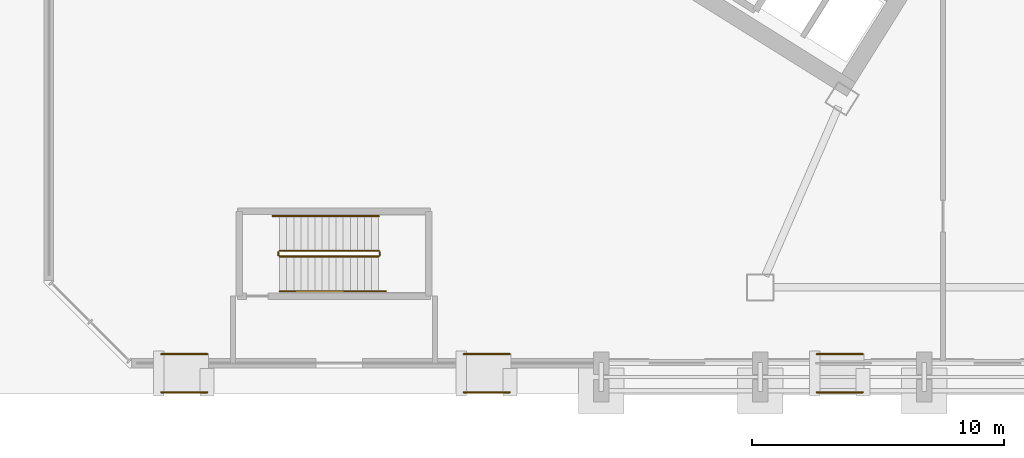
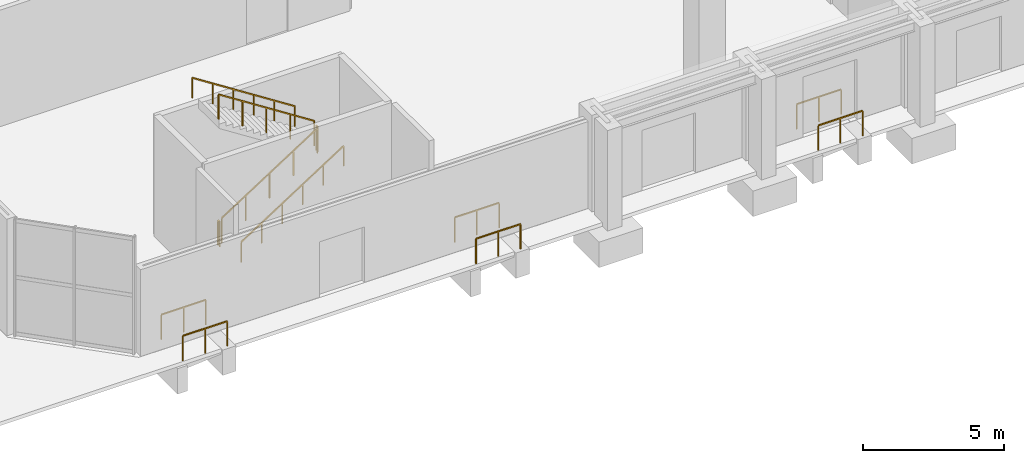
# One storey, part 15 of 22: 12 railings.
"""IFC4 building model written with IfcOpenShell, lengths in metres."""

from ifc_helpers import new_model, si_unit, direction, frame, origin, origin_2d, place, context, subcontext, project, spatial, rectangle, extrude, source, transform, mapped, material, type_object, element, save


model = new_model("IFC4")

# Units and contexts
model_context = context("Model", 3, precision=1e-05, world=origin(), true_north=direction((0.0, 1.0)))
body_context = subcontext(model_context, "Body", "Model", "MODEL_VIEW")
ifc_project = project(units=[si_unit("LENGTHUNIT", "METRE"), si_unit("AREAUNIT", "SQUARE_METRE"), si_unit("VOLUMEUNIT", "CUBIC_METRE"), si_unit("PLANEANGLEUNIT", "RADIAN"), si_unit("MASSUNIT", "GRAM", prefix="KILO")], contexts=[model_context])

# Site, building, storey
site_placement = place(None, origin())
site = spatial("IfcSite", under=ifc_project, at=site_placement, CompositionType="ELEMENT")
building_placement = place(site_placement, origin())
building = spatial("IfcBuilding", under=site, at=building_placement, Name="Tlacorven Tower", CompositionType="ELEMENT")
storey_placement = place(building_placement, origin())
storey = spatial("IfcBuildingStorey", under=building, at=storey_placement, Name="L00", CompositionType="ELEMENT", Elevation=0.0)

# Railings
ifc_material = material(Name="Aluminium and painted steel balustrade", Category="steel")
railing_type_1 = type_object("IfcRailingType", Name="RL-GRD-1100", PredefinedType="GUARDRAIL", material=ifc_material)
shared_shape_1 = source(origin(), body_context, "Body", "SweptSolid", [
    extrude(rectangle(XDim=0.048095703125, YDim=0.048095703125, at=origin_2d()), frame((0.0, 0.0, 1.076171875), z_axis=(1.0, 0.0, 0.0), x_axis=(0.0, 1.0, 0.0)), (0.0, 0.0, 1.0), 1.820068359375),
    extrude(rectangle(XDim=0.0419921875, YDim=0.0419921875, at=origin_2d()), origin(), (0.0, 0.0, 1.0), 1.052001953125),
    extrude(rectangle(XDim=0.0419921875, YDim=0.0419921875, at=origin_2d()), frame((0.91015625, 0.0, 0.0)), (0.0, 0.0, 1.0), 1.052001953125),
    extrude(rectangle(XDim=0.0419921875, YDim=0.0419921875, at=origin_2d()), frame((1.820068359375, 0.0, 0.0)), (0.0, 0.0, 1.0), 1.052001953125),
])
for number, where, name in (
    (1, (6.050048828125, 0.43994140625, 0.0), "L00 Accessible Ramp Guardrail 1 1"),
    (2, (6.050048828125, 1.9599609375, 0.0), "L00 Accessible Ramp Guardrail 1 2"),
    (3, (18.050048828125, 0.43994140625, 0.0), "L00 Accessible Ramp Guardrail 2 1"),
    (4, (18.050048828125, 1.9599609375, 0.0), "L00 Accessible Ramp Guardrail 2 2"),
    (5, (32.050048828125, 0.43994140625, 0.0), "L00 Accessible Ramp Guardrail 3 1"),
    (6, (32.050048828125, 1.9599609375, 0.0), "L00 Accessible Ramp Guardrail 3 2"),
):
    element("IfcRailing", number, at=place(storey_placement, frame(where)), inside=storey, type_object=railing_type_1, Name=name, PredefinedType="GUARDRAIL", context=body_context, shape_type="MappedRepresentation", body=[
        mapped(shared_shape_1, transform((0.0, 0.0, 0.0), scale=1.0)),
    ])
shared_shape_2 = source(origin(), body_context, "Body", "SweptSolid", [
    extrude(rectangle(XDim=0.048095703125, YDim=0.048095703125, at=origin_2d()), frame((0.0, 0.0, 1.076171875), z_axis=(0.0, 1.0, 0.0), x_axis=(-1.0, 0.0, 0.0)), (0.0, 0.0, 1.0), 0.1201171875),
    extrude(rectangle(XDim=0.0419921875, YDim=0.0419921875, at=origin_2d()), origin(), (0.0, 0.0, 1.0), 1.052001953125),
    extrude(rectangle(XDim=0.0419921875, YDim=0.0419921875, at=origin_2d()), frame((0.0, 0.1201171875, 0.0)), (0.0, 0.0, 1.0), 1.052001953125),
])
for number, where, name in (
    (7, (14.719970703125, 5.8798828125, 2.699951171875), "L00 ST-P1 stair guard 2"),
    (8, (10.699951171875, 5.8798828125, 0.0), "L00 ST-P1 stair guard 4"),
):
    element("IfcRailing", number, at=place(storey_placement, frame(where)), inside=storey, type_object=railing_type_1, Name=name, PredefinedType="GUARDRAIL", context=body_context, shape_type="MappedRepresentation", body=[
        mapped(shared_shape_2, transform((0.0, 0.0, 0.0), scale=1.0)),
    ])
shared_shape_3 = source(origin(), body_context, "Body", "SweptSolid", [
    extrude(rectangle(XDim=0.048095703125, YDim=0.048095703125, at=origin_2d()), frame((0.0, 0.0, 1.076171875), z_axis=(0.841171666519, 0.0, 0.540768182723), x_axis=(0.0, 1.0, 0.0)), (0.0, 0.0, 1.0), 4.66015625),
    extrude(rectangle(XDim=0.0419921875, YDim=0.0419921875, at=origin_2d()), origin(), (0.0, 0.0, 1.0), 1.052001953125),
    extrude(rectangle(XDim=0.0419921875, YDim=0.0419921875, at=origin_2d()), frame((0.97998046875, 0.0, 0.6298828125)), (0.0, 0.0, 1.0), 1.052001953125),
    extrude(rectangle(XDim=0.0419921875, YDim=0.0419921875, at=origin_2d()), frame((1.9599609375, 0.0, 1.260009765625)), (0.0, 0.0, 1.0), 1.052001953125),
    extrude(rectangle(XDim=0.0419921875, YDim=0.0419921875, at=origin_2d()), frame((2.93994140625, 0.0, 1.89013671875)), (0.0, 0.0, 1.0), 1.052001953125),
    extrude(rectangle(XDim=0.0419921875, YDim=0.0419921875, at=origin_2d()), frame((3.919921875, 0.0, 2.52001953125)), (0.0, 0.0, 1.0), 1.052001953125),
])
railing_1_placement = place(storey_placement, frame((10.75, 5.830078125, 0.179931640625)))
element("IfcRailing", 9, at=railing_1_placement, inside=storey, type_object=railing_type_1, Name="L00 ST-P1 stair guard 1", PredefinedType="GUARDRAIL", context=body_context, shape_type="MappedRepresentation", body=[
    mapped(shared_shape_3, transform((0.0, 0.0, 0.0), scale=1.0)),
])
shared_shape_4 = source(origin(), body_context, "Body", "SweptSolid", [
    extrude(rectangle(XDim=0.048095703125, YDim=0.048095703125, at=origin_2d()), frame((0.0, 0.0, 1.076171875), z_axis=(-0.841171666519, 0.0, 0.540768182723), x_axis=(0.0, -1.0, 0.0)), (0.0, 0.0, 1.0), 4.66015625),
    extrude(rectangle(XDim=0.0419921875, YDim=0.0419921875, at=origin_2d()), origin(), (0.0, 0.0, 1.0), 1.052001953125),
    extrude(rectangle(XDim=0.0419921875, YDim=0.0419921875, at=origin_2d()), frame((-0.97998046875, 0.0, 0.6298828125)), (0.0, 0.0, 1.0), 1.052001953125),
    extrude(rectangle(XDim=0.0419921875, YDim=0.0419921875, at=origin_2d()), frame((-1.9599609375, 0.0, 1.260009765625)), (0.0, 0.0, 1.0), 1.052001953125),
    extrude(rectangle(XDim=0.0419921875, YDim=0.0419921875, at=origin_2d()), frame((-2.93994140625, 0.0, 1.89013671875)), (0.0, 0.0, 1.0), 1.052001953125),
    extrude(rectangle(XDim=0.0419921875, YDim=0.0419921875, at=origin_2d()), frame((-3.919921875, 0.0, 2.52001953125)), (0.0, 0.0, 1.0), 1.052001953125),
])
railing_2_placement = place(storey_placement, frame((14.669921875, 6.050048828125, 2.8798828125)))
element("IfcRailing", 10, at=railing_2_placement, inside=storey, type_object=railing_type_1, Name="L00 ST-P1 stair guard 3", PredefinedType="GUARDRAIL", context=body_context, shape_type="MappedRepresentation", body=[
    mapped(shared_shape_4, transform((0.0, 0.0, 0.0), scale=1.0)),
])
railing_type_2 = type_object("IfcRailingType", Name="RL-HND-0900", PredefinedType="HANDRAIL", material=ifc_material)
shared_shape_5 = source(origin(), body_context, "Body", "SweptSolid", [
    extrude(rectangle(XDim=0.048095703125, YDim=0.048095703125, at=origin_2d()), frame((0.0, 0.0, 0.8759765625), z_axis=(0.841180064094, 0.0, 0.540755119968), x_axis=(0.0, 1.0, 0.0)), (0.0, 0.0, 1.0), 4.992919921875),
    extrude(rectangle(XDim=0.0419921875, YDim=0.0419921875, at=origin_2d()), origin(), (0.0, 0.0, 1.0), 0.851806640625),
    extrude(rectangle(XDim=0.0419921875, YDim=0.0419921875, at=origin_2d()), frame((0.840087890625, 0.0, 0.5400390625)), (0.0, 0.0, 1.0), 0.851806640625),
    extrude(rectangle(XDim=0.0419921875, YDim=0.0419921875, at=origin_2d()), frame((1.679931640625, 0.0, 1.080078125)), (0.0, 0.0, 1.0), 0.851806640625),
    extrude(rectangle(XDim=0.0419921875, YDim=0.0419921875, at=origin_2d()), frame((2.52001953125, 0.0, 1.619873046875)), (0.0, 0.0, 1.0), 0.851806640625),
    extrude(rectangle(XDim=0.0419921875, YDim=0.0419921875, at=origin_2d()), frame((3.35986328125, 0.0, 2.159912109375)), (0.0, 0.0, 1.0), 0.851806640625),
    extrude(rectangle(XDim=0.0419921875, YDim=0.0419921875, at=origin_2d()), frame((4.199951171875, 0.0, 2.699951171875)), (0.0, 0.0, 1.0), 0.851806640625),
])
railing_3_placement = place(storey_placement, frame((10.75, 4.449951171875, 0.179931640625)))
element("IfcRailing", 11, at=railing_3_placement, inside=storey, type_object=railing_type_2, Name="L00 ST-P1 stair handrail 1", PredefinedType="HANDRAIL", context=body_context, shape_type="MappedRepresentation", body=[
    mapped(shared_shape_5, transform((0.0, 0.0, 0.0), scale=1.0)),
])
shared_shape_6 = source(origin(), body_context, "Body", "SweptSolid", [
    extrude(rectangle(XDim=0.048095703125, YDim=0.048095703125, at=origin_2d()), frame((0.0, 0.0, 0.8759765625), z_axis=(-0.841157821942, 0.0, 0.54078971753), x_axis=(0.0, -1.0, 0.0)), (0.0, 0.0, 1.0), 4.9931640625),
    extrude(rectangle(XDim=0.0419921875, YDim=0.0419921875, at=origin_2d()), origin(), (0.0, 0.0, 1.0), 0.851806640625),
    extrude(rectangle(XDim=0.0419921875, YDim=0.0419921875, at=origin_2d()), frame((-0.840087890625, 0.0, 0.5400390625)), (0.0, 0.0, 1.0), 0.851806640625),
    extrude(rectangle(XDim=0.0419921875, YDim=0.0419921875, at=origin_2d()), frame((-1.679931640625, 0.0, 1.080078125)), (0.0, 0.0, 1.0), 0.851806640625),
    extrude(rectangle(XDim=0.0419921875, YDim=0.0419921875, at=origin_2d()), frame((-2.52001953125, 0.0, 1.6201171875)), (0.0, 0.0, 1.0), 0.851806640625),
    extrude(rectangle(XDim=0.0419921875, YDim=0.0419921875, at=origin_2d()), frame((-3.35986328125, 0.0, 2.16015625)), (0.0, 0.0, 1.0), 0.851806640625),
    extrude(rectangle(XDim=0.0419921875, YDim=0.0419921875, at=origin_2d()), frame((-4.199951171875, 0.0, 2.7001953125)), (0.0, 0.0, 1.0), 0.851806640625),
])
railing_4_placement = place(storey_placement, frame((14.669921875, 7.429931640625, 2.8798828125)))
element("IfcRailing", 12, at=railing_4_placement, inside=storey, type_object=railing_type_2, Name="L00 ST-P1 stair handrail 2", PredefinedType="HANDRAIL", context=body_context, shape_type="MappedRepresentation", body=[
    mapped(shared_shape_6, transform((0.0, 0.0, 0.0), scale=1.0)),
])

save(model, "model.ifc")
